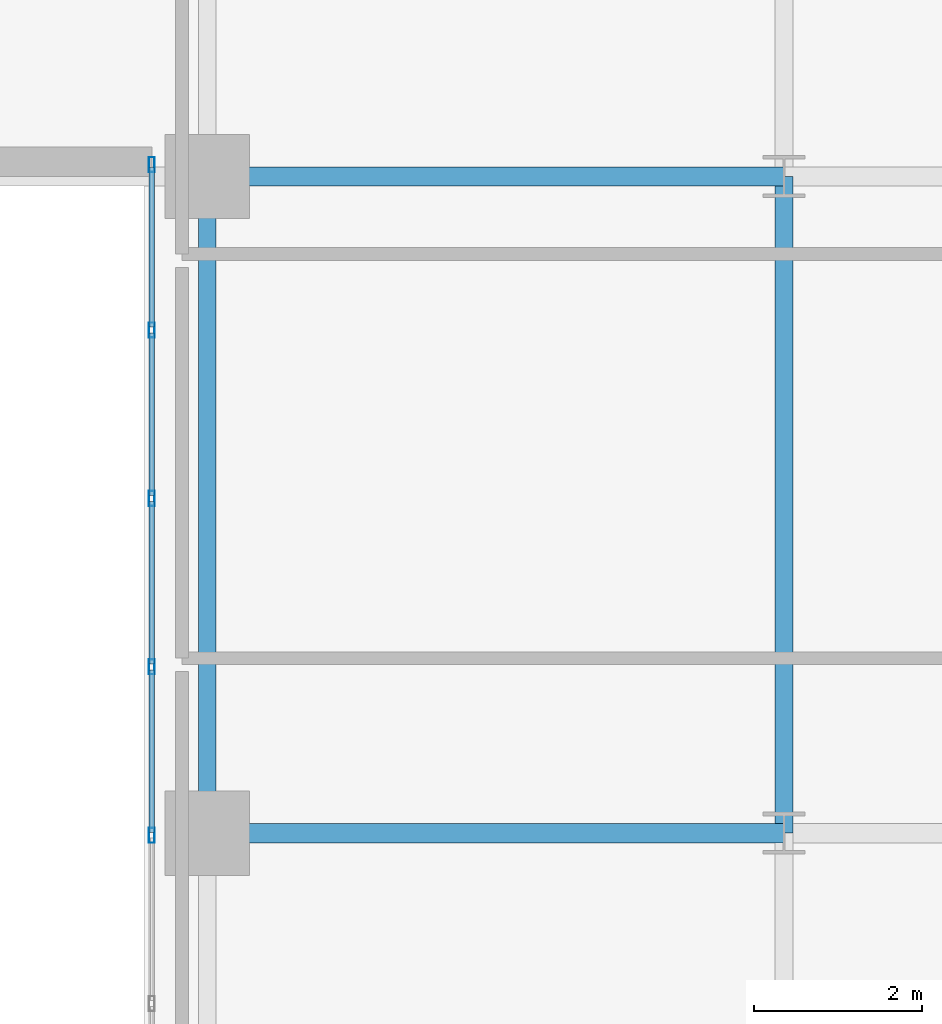
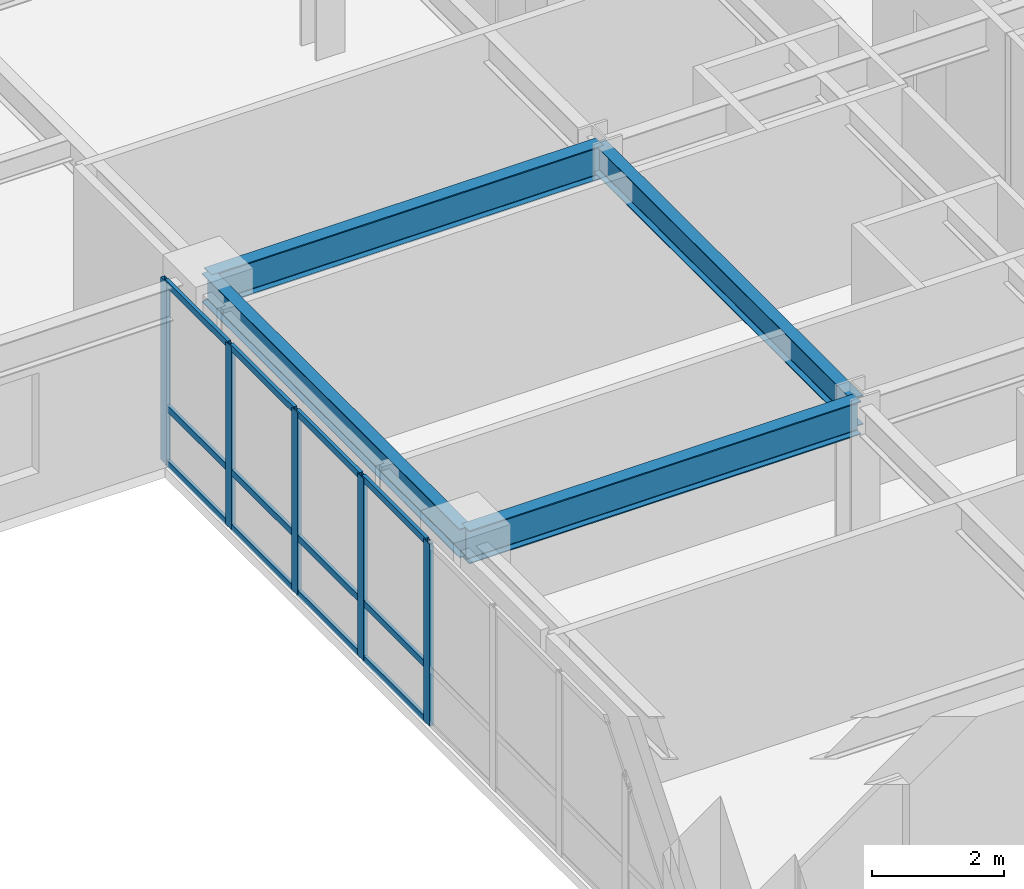
# One storey, part 7 of 17: 17 members, 4 beams, 1 element without a shape of its own.
"""IFC4 building model written with IfcOpenShell, lengths in metres."""

from ifc_helpers import new_model, si_unit, direction, frame, origin, origin_2d, place, context, subcontext, project, spatial, hollow_rectangle, i_section, extrude, source, transform, mapped, material, layer, layer_set, material_profile, profile_set, type_object, type_shapes, element, aggregate, save


model = new_model("IFC4")

# Units and contexts
model_context = context("Model", 3, precision=1e-05, world=origin(), true_north=direction((0.0, 1.0)))
body_context = subcontext(model_context, "Body", "Model", "MODEL_VIEW")
ifc_project = project(units=[si_unit("LENGTHUNIT", "METRE"), si_unit("AREAUNIT", "SQUARE_METRE"), si_unit("VOLUMEUNIT", "CUBIC_METRE"), si_unit("PLANEANGLEUNIT", "RADIAN"), si_unit("MASSUNIT", "GRAM", prefix="KILO")], contexts=[model_context])

# Site, building, storey
site_placement = place(None, origin())
site = spatial("IfcSite", under=ifc_project, at=site_placement, CompositionType="ELEMENT")
building_placement = place(site_placement, origin())
building = spatial("IfcBuilding", under=site, at=building_placement, Name="Tolvann Quenvar Hotel", CompositionType="ELEMENT")
storey_placement = place(building_placement, frame((0.0, 0.0, 49.75)))
storey = spatial("IfcBuildingStorey", under=building, at=storey_placement, Name="L11", CompositionType="ELEMENT", Elevation=49.75)

# Beams
ifc_material_1 = material(Name="Steel Grade 350", Category="steel")
ifc_material_profile_1 = material_profile(ifc_material_1, i_section(OverallWidth=0.22900390625, OverallDepth=0.612060546875, WebThickness=0.011962890625, FlangeThickness=0.01953125, FilletRadius=0.013916015625, at=origin_2d()), Name="610UB125")
ifc_profile_set_1 = profile_set([ifc_material_profile_1], Name="Steel Grade 350")
beam_type_1 = type_object("IfcBeamType", Name="BM_GIRD_610UB125", PredefinedType="BEAM", material=ifc_profile_set_1)
shared_shape_1 = source(origin(), body_context, "Body", "SweptSolid", [
    extrude(i_section(OverallWidth=0.22900390625, OverallDepth=0.612060546875, WebThickness=0.011962890625, FlangeThickness=0.01953125, FilletRadius=0.013916015625, at=origin_2d()), origin(), (0.0, 0.0, 1.0), 6.85009765625),
])
type_shapes(beam_type_1, [shared_shape_1])
for number, where, z_axis, x_axis, name in (
    (1, (34.949951171875, 8.199951171875, 3.06396484375), (1.0, 0.0, 0.0), (0.0, 1.0, 0.0), "BM-L11-EW-3-F3-H3"),
    (2, (34.949951171875, 16.0, 3.06396484375), (1.0, 0.0, 0.0), (0.0, 1.0, 0.0), "BM-L11-EW-4-F4-H4"),
):
    element("IfcBeam", number, at=place(storey_placement, frame(where, z_axis=z_axis, x_axis=x_axis)), inside=storey, type_object=beam_type_1, Name=name, PredefinedType="BEAM", context=body_context, shape_type="MappedRepresentation", body=[
        mapped(shared_shape_1, transform((0.0, 0.0, 0.0), x_axis=(1.0, 0.0, 0.0), y_axis=(0.0, 1.0, 0.0), z_axis=(0.0, 0.0, 1.0), scale=1.0)),
    ])
ifc_material_profile_2 = material_profile(ifc_material_1, i_section(OverallWidth=0.208984375, OverallDepth=0.532958984375, WebThickness=0.01025390625, FlangeThickness=0.015625, FilletRadius=0.013916015625, at=origin_2d()), Name="530UB92")
ifc_profile_set_2 = profile_set([ifc_material_profile_2], Name="Steel Grade 350")
beam_type_2 = type_object("IfcBeamType", Name="BM_GIRD_530UB92", PredefinedType="BEAM", material=ifc_profile_set_2)
shared_shape_2 = source(origin(), body_context, "Body", "SweptSolid", [
    extrude(i_section(OverallWidth=0.208984375, OverallDepth=0.532958984375, WebThickness=0.01025390625, FlangeThickness=0.015625, FilletRadius=0.013916015625, at=origin_2d()), origin(), (0.0, 0.0, 1.0), 7.800048828125),
])
type_shapes(beam_type_2, [shared_shape_2])
for number, where, z_axis, x_axis, name in (
    (3, (34.949951171875, 8.199951171875, 3.103515625), (0.0, 1.0, 0.0), (-1.0, 0.0, 0.0), "BM-L11-NS-F3-F4"),
    (4, (41.800048828125, 8.199951171875, 3.103515625), (0.0, 1.0, 0.0), (-1.0, 0.0, 0.0), "BM-L11-NS-H3-H4"),
):
    element("IfcBeam", number, at=place(storey_placement, frame(where, z_axis=z_axis, x_axis=x_axis)), inside=storey, type_object=beam_type_2, Name=name, PredefinedType="BEAM", context=body_context, shape_type="MappedRepresentation", body=[
        mapped(shared_shape_2, transform((0.0, 0.0, 0.0), x_axis=(1.0, 0.0, 0.0), y_axis=(0.0, 1.0, 0.0), z_axis=(0.0, 0.0, 1.0), scale=1.0)),
    ])

# Curtain wall, members
ifc_material_2 = material(Name="Thermally broken anodised architectural aluminium 6063-T6 and laminated low-E glass", Category="aluminium")
ifc_layer = layer(ifc_material_2, 0.179931640625)
ifc_layer_set = layer_set([ifc_layer], Name="Thermally broken anodised architectural aluminium 6063-T6 and laminated low-E glass")
curtain_wall_type = type_object("IfcCurtainWallType", Name="CW_SYS_SLOT_03", PredefinedType="USERDEFINED", material=ifc_layer_set)
curtain_wall_placement = place(storey_placement, origin())
curtain_wall = element("IfcCurtainWall", 5, at=curtain_wall_placement, inside=storey, type_object=curtain_wall_type, Name="Curtain Wall CW-SLOT-03 (CWR-L11-E07)", ObjectType="UNITISED CURTAIN WALL", PredefinedType="USERDEFINED")
ifc_material_3 = material(Name="Anodised architectural aluminium 6063-T6 framing", Category="aluminium")
ifc_material_profile_3 = material_profile(ifc_material_3, hollow_rectangle(XDim=0.070068359375, YDim=0.179931640625, WallThickness=0.00390625, at=origin_2d()), Name="180x70x4RHS")
ifc_profile_set_3 = profile_set([ifc_material_profile_3], Name="Anodised architectural aluminium 6063-T6 framing")
member_type_1 = type_object("IfcMemberType", Name="CW_MULL_180x70", PredefinedType="MULLION", material=ifc_profile_set_3)
shared_shape_3 = source(origin(), body_context, "Body", "SweptSolid", [
    extrude(hollow_rectangle(XDim=0.070068359375, YDim=0.179931640625, WallThickness=0.00390625, at=origin_2d()), origin(), (0.0, 0.0, 1.0), 3.3701171875),
])
type_shapes(member_type_1, [shared_shape_3])
member_1_placement = place(storey_placement, frame((34.2900390625, 16.139892578125, 0.0), z_axis=(0.0, 0.0, 1.0), x_axis=(1.0, 0.0, 0.0)))
member_1 = element("IfcMember", 6, at=member_1_placement, type_object=member_type_1, Name="CW-SLOT-03 mullion 1", PredefinedType="MULLION", context=body_context, shape_type="MappedRepresentation", body=[
    mapped(shared_shape_3, transform((0.0, 0.0, 0.0), x_axis=(1.0, 0.0, 0.0), y_axis=(0.0, 1.0, 0.0), z_axis=(0.0, 0.0, 1.0), scale=1.0)),
])
member_2_placement = place(storey_placement, frame((34.2900390625, 14.175048828125, 0.0), z_axis=(0.0, 0.0, 1.0), x_axis=(1.0, 0.0, 0.0)))
member_2 = element("IfcMember", 7, at=member_2_placement, type_object=member_type_1, Name="CW-SLOT-03 mullion 2", PredefinedType="MULLION", context=body_context, shape_type="MappedRepresentation", body=[
    mapped(shared_shape_3, transform((0.0, 0.0, 0.0), x_axis=(1.0, 0.0, 0.0), y_axis=(0.0, 1.0, 0.0), z_axis=(0.0, 0.0, 1.0), scale=1.0)),
])
member_3_placement = place(storey_placement, frame((34.2900390625, 12.175048828125, 0.0), z_axis=(0.0, 0.0, 1.0), x_axis=(1.0, 0.0, 0.0)))
member_3 = element("IfcMember", 8, at=member_3_placement, type_object=member_type_1, Name="CW-SLOT-03 mullion 3", PredefinedType="MULLION", context=body_context, shape_type="MappedRepresentation", body=[
    mapped(shared_shape_3, transform((0.0, 0.0, 0.0), x_axis=(1.0, 0.0, 0.0), y_axis=(0.0, 1.0, 0.0), z_axis=(0.0, 0.0, 1.0), scale=1.0)),
])
member_4_placement = place(storey_placement, frame((34.2900390625, 10.175048828125, 0.0), z_axis=(0.0, 0.0, 1.0), x_axis=(1.0, 0.0, 0.0)))
member_4 = element("IfcMember", 9, at=member_4_placement, type_object=member_type_1, Name="CW-SLOT-03 mullion 4", PredefinedType="MULLION", context=body_context, shape_type="MappedRepresentation", body=[
    mapped(shared_shape_3, transform((0.0, 0.0, 0.0), x_axis=(1.0, 0.0, 0.0), y_axis=(0.0, 1.0, 0.0), z_axis=(0.0, 0.0, 1.0), scale=1.0)),
])
member_5_placement = place(storey_placement, frame((34.2900390625, 8.175048828125, 0.0), z_axis=(0.0, 0.0, 1.0), x_axis=(1.0, 0.0, 0.0)))
member_5 = element("IfcMember", 10, at=member_5_placement, type_object=member_type_1, Name="CW-SLOT-03 mullion 5", PredefinedType="MULLION", context=body_context, shape_type="MappedRepresentation", body=[
    mapped(shared_shape_3, transform((0.0, 0.0, 0.0), x_axis=(1.0, 0.0, 0.0), y_axis=(0.0, 1.0, 0.0), z_axis=(0.0, 0.0, 1.0), scale=1.0)),
])
ifc_material_profile_4 = material_profile(ifc_material_3, hollow_rectangle(XDim=0.06005859375, YDim=0.1201171875, WallThickness=0.00341796875, at=origin_2d()), Name="120x60x3.5RHS")
ifc_profile_set_4 = profile_set([ifc_material_profile_4], Name="Anodised architectural aluminium 6063-T6 framing")
member_type_2 = type_object("IfcMemberType", Name="CW_TRAN_120x60", PredefinedType="USERDEFINED", material=ifc_profile_set_4)
shared_shape_4 = source(origin(), body_context, "Body", "SweptSolid", [
    extrude(hollow_rectangle(XDim=0.06005859375, YDim=0.1201171875, WallThickness=0.00341796875, at=origin_2d()), origin(), (0.0, 0.0, 1.0), 1.929931640625),
])
member_6_placement = place(storey_placement, frame((34.2900390625, 14.139892578125, 0.030029296875), z_axis=(0.0, -1.0, 0.0), x_axis=(1.0, 0.0, 0.0)))
member_6 = element("IfcMember", 11, at=member_6_placement, type_object=member_type_2, Name="CW-SLOT-03 transom 2.1", ObjectType="TRANSOM", PredefinedType="USERDEFINED", context=body_context, shape_type="MappedRepresentation", body=[
    mapped(shared_shape_4, transform((0.0, 0.0, 0.0), x_axis=(1.0, 0.0, 0.0), y_axis=(0.0, 1.0, 0.0), z_axis=(0.0, 0.0, 1.0), scale=1.0)),
])
member_7_placement = place(storey_placement, frame((34.2900390625, 14.139892578125, 1.050048828125), z_axis=(0.0, -1.0, 0.0), x_axis=(1.0, 0.0, 0.0)))
member_7 = element("IfcMember", 12, at=member_7_placement, type_object=member_type_2, Name="CW-SLOT-03 transom 2.2", ObjectType="TRANSOM", PredefinedType="USERDEFINED", context=body_context, shape_type="MappedRepresentation", body=[
    mapped(shared_shape_4, transform((0.0, 0.0, 0.0), x_axis=(1.0, 0.0, 0.0), y_axis=(0.0, 1.0, 0.0), z_axis=(0.0, 0.0, 1.0), scale=1.0)),
])
member_8_placement = place(storey_placement, frame((34.2900390625, 14.139892578125, 3.340087890625), z_axis=(0.0, -1.0, 0.0), x_axis=(1.0, 0.0, 0.0)))
member_8 = element("IfcMember", 13, at=member_8_placement, type_object=member_type_2, Name="CW-SLOT-03 transom 2.3", ObjectType="TRANSOM", PredefinedType="USERDEFINED", context=body_context, shape_type="MappedRepresentation", body=[
    mapped(shared_shape_4, transform((0.0, 0.0, 0.0), x_axis=(1.0, 0.0, 0.0), y_axis=(0.0, 1.0, 0.0), z_axis=(0.0, 0.0, 1.0), scale=1.0)),
])
member_9_placement = place(storey_placement, frame((34.2900390625, 12.139892578125, 0.030029296875), z_axis=(0.0, -1.0, 0.0), x_axis=(1.0, 0.0, 0.0)))
member_9 = element("IfcMember", 14, at=member_9_placement, type_object=member_type_2, Name="CW-SLOT-03 transom 3.1", ObjectType="TRANSOM", PredefinedType="USERDEFINED", context=body_context, shape_type="MappedRepresentation", body=[
    mapped(shared_shape_4, transform((0.0, 0.0, 0.0), x_axis=(1.0, 0.0, 0.0), y_axis=(0.0, 1.0, 0.0), z_axis=(0.0, 0.0, 1.0), scale=1.0)),
])
member_10_placement = place(storey_placement, frame((34.2900390625, 12.139892578125, 1.050048828125), z_axis=(0.0, -1.0, 0.0), x_axis=(1.0, 0.0, 0.0)))
member_10 = element("IfcMember", 15, at=member_10_placement, type_object=member_type_2, Name="CW-SLOT-03 transom 3.2", ObjectType="TRANSOM", PredefinedType="USERDEFINED", context=body_context, shape_type="MappedRepresentation", body=[
    mapped(shared_shape_4, transform((0.0, 0.0, 0.0), x_axis=(1.0, 0.0, 0.0), y_axis=(0.0, 1.0, 0.0), z_axis=(0.0, 0.0, 1.0), scale=1.0)),
])
member_11_placement = place(storey_placement, frame((34.2900390625, 12.139892578125, 3.340087890625), z_axis=(0.0, -1.0, 0.0), x_axis=(1.0, 0.0, 0.0)))
member_11 = element("IfcMember", 16, at=member_11_placement, type_object=member_type_2, Name="CW-SLOT-03 transom 3.3", ObjectType="TRANSOM", PredefinedType="USERDEFINED", context=body_context, shape_type="MappedRepresentation", body=[
    mapped(shared_shape_4, transform((0.0, 0.0, 0.0), x_axis=(1.0, 0.0, 0.0), y_axis=(0.0, 1.0, 0.0), z_axis=(0.0, 0.0, 1.0), scale=1.0)),
])
member_12_placement = place(storey_placement, frame((34.2900390625, 10.139892578125, 0.030029296875), z_axis=(0.0, -1.0, 0.0), x_axis=(1.0, 0.0, 0.0)))
member_12 = element("IfcMember", 17, at=member_12_placement, type_object=member_type_2, Name="CW-SLOT-03 transom 4.1", ObjectType="TRANSOM", PredefinedType="USERDEFINED", context=body_context, shape_type="MappedRepresentation", body=[
    mapped(shared_shape_4, transform((0.0, 0.0, 0.0), x_axis=(1.0, 0.0, 0.0), y_axis=(0.0, 1.0, 0.0), z_axis=(0.0, 0.0, 1.0), scale=1.0)),
])
member_13_placement = place(storey_placement, frame((34.2900390625, 10.139892578125, 1.050048828125), z_axis=(0.0, -1.0, 0.0), x_axis=(1.0, 0.0, 0.0)))
member_13 = element("IfcMember", 18, at=member_13_placement, type_object=member_type_2, Name="CW-SLOT-03 transom 4.2", ObjectType="TRANSOM", PredefinedType="USERDEFINED", context=body_context, shape_type="MappedRepresentation", body=[
    mapped(shared_shape_4, transform((0.0, 0.0, 0.0), x_axis=(1.0, 0.0, 0.0), y_axis=(0.0, 1.0, 0.0), z_axis=(0.0, 0.0, 1.0), scale=1.0)),
])
member_14_placement = place(storey_placement, frame((34.2900390625, 10.139892578125, 3.340087890625), z_axis=(0.0, -1.0, 0.0), x_axis=(1.0, 0.0, 0.0)))
member_14 = element("IfcMember", 19, at=member_14_placement, type_object=member_type_2, Name="CW-SLOT-03 transom 4.3", ObjectType="TRANSOM", PredefinedType="USERDEFINED", context=body_context, shape_type="MappedRepresentation", body=[
    mapped(shared_shape_4, transform((0.0, 0.0, 0.0), x_axis=(1.0, 0.0, 0.0), y_axis=(0.0, 1.0, 0.0), z_axis=(0.0, 0.0, 1.0), scale=1.0)),
])
shared_shape_5 = source(origin(), body_context, "Body", "SweptSolid", [
    extrude(hollow_rectangle(XDim=0.06005859375, YDim=0.1201171875, WallThickness=0.00341796875, at=origin_2d()), origin(), (0.0, 0.0, 1.0), 1.89501953125),
])
type_shapes(member_type_2, [shared_shape_4, shared_shape_5])
member_15_placement = place(storey_placement, frame((34.2900390625, 16.10498046875, 0.030029296875), z_axis=(0.0, -1.0, 0.0), x_axis=(1.0, 0.0, 0.0)))
member_15 = element("IfcMember", 20, at=member_15_placement, type_object=member_type_2, Name="CW-SLOT-03 transom 1.1", ObjectType="TRANSOM", PredefinedType="USERDEFINED", context=body_context, shape_type="MappedRepresentation", body=[
    mapped(shared_shape_5, transform((0.0, 0.0, 0.0), x_axis=(1.0, 0.0, 0.0), y_axis=(0.0, 1.0, 0.0), z_axis=(0.0, 0.0, 1.0), scale=1.0)),
])
member_16_placement = place(storey_placement, frame((34.2900390625, 16.10498046875, 1.050048828125), z_axis=(0.0, -1.0, 0.0), x_axis=(1.0, 0.0, 0.0)))
member_16 = element("IfcMember", 21, at=member_16_placement, type_object=member_type_2, Name="CW-SLOT-03 transom 1.2", ObjectType="TRANSOM", PredefinedType="USERDEFINED", context=body_context, shape_type="MappedRepresentation", body=[
    mapped(shared_shape_5, transform((0.0, 0.0, 0.0), x_axis=(1.0, 0.0, 0.0), y_axis=(0.0, 1.0, 0.0), z_axis=(0.0, 0.0, 1.0), scale=1.0)),
])
member_17_placement = place(storey_placement, frame((34.2900390625, 16.10498046875, 3.340087890625), z_axis=(0.0, -1.0, 0.0), x_axis=(1.0, 0.0, 0.0)))
member_17 = element("IfcMember", 22, at=member_17_placement, type_object=member_type_2, Name="CW-SLOT-03 transom 1.3", ObjectType="TRANSOM", PredefinedType="USERDEFINED", context=body_context, shape_type="MappedRepresentation", body=[
    mapped(shared_shape_5, transform((0.0, 0.0, 0.0), x_axis=(1.0, 0.0, 0.0), y_axis=(0.0, 1.0, 0.0), z_axis=(0.0, 0.0, 1.0), scale=1.0)),
])
aggregate(curtain_wall, [member_1, member_2, member_3, member_4, member_5, member_15, member_16, member_17, member_6, member_7, member_8, member_9, member_10, member_11, member_12, member_13, member_14])

save(model, "model.ifc")
